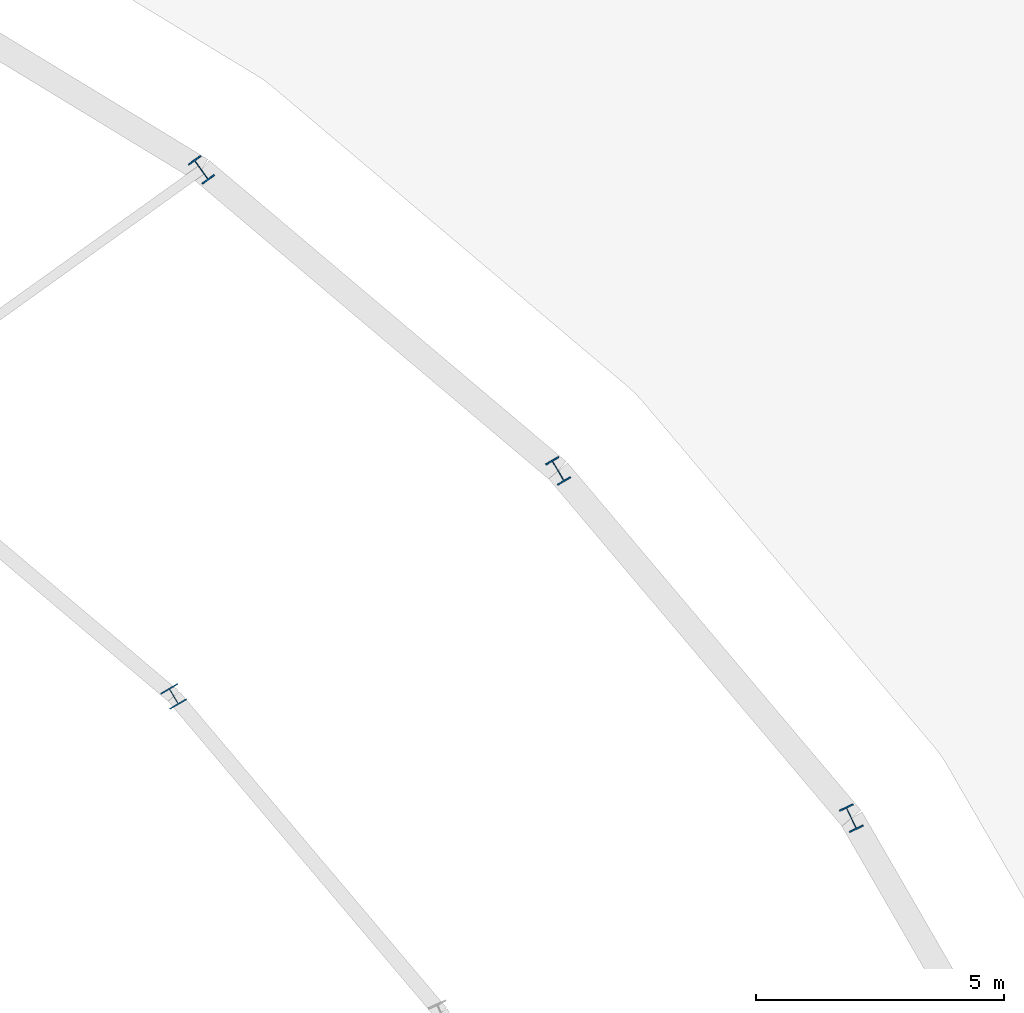
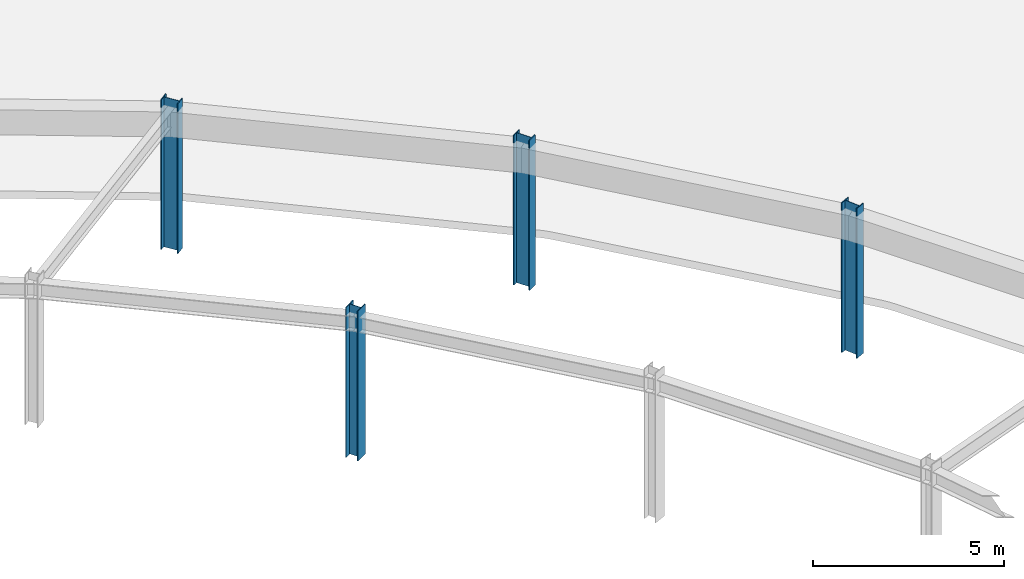
# One storey, part 13 of 45: 4 columns.
"""IFC4 building model written with IfcOpenShell, lengths in metres."""

from ifc_helpers import new_model, si_unit, direction, frame, origin, origin_2d, place, context, subcontext, project, spatial, i_section, extrude, material, material_profile, profile_set, type_object, element, save


model = new_model("IFC4")

# Units and contexts
model_context = context("Model", 3, precision=1e-05, world=origin(), true_north=direction((0.0, 1.0)))
body_context = subcontext(model_context, "Body", "Model", "MODEL_VIEW")
ifc_project = project(units=[si_unit("LENGTHUNIT", "METRE"), si_unit("AREAUNIT", "SQUARE_METRE"), si_unit("VOLUMEUNIT", "CUBIC_METRE"), si_unit("PLANEANGLEUNIT", "RADIAN"), si_unit("MASSUNIT", "GRAM", prefix="KILO")], contexts=[model_context])

# Site, building, storey
site_placement = place(None, origin())
site = spatial("IfcSite", under=ifc_project, at=site_placement, CompositionType="ELEMENT")
building_placement = place(site_placement, origin())
building = spatial("IfcBuilding", under=site, at=building_placement, Name="Mphavela Belvedere Stadium", CompositionType="ELEMENT")
storey_placement = place(building_placement, frame((0.0, 0.0, 24.0)))
storey = spatial("IfcBuildingStorey", under=building, at=storey_placement, Name="L05", CompositionType="ELEMENT", Elevation=24.0)

# Columns
ifc_material_1 = material(Name="Steel S355", Category="steel")
ifc_material_profile_1 = material_profile(ifc_material_1, i_section(OverallWidth=0.39501953125, OverallDepth=0.3798828125, WebThickness=0.0166015625, FlangeThickness=0.02587890625, at=origin_2d()), Name="HD 400x237")
ifc_profile_set_1 = profile_set([ifc_material_profile_1], Name="Steel S355")
column_type_1 = type_object("IfcColumnType", Name="COL-STEEL-HD400", PredefinedType="COLUMN", material=ifc_profile_set_1)
column_placement = place(storey_placement, frame((193.600341796875, 133.11376953125, 0.0), z_axis=(0.0, 0.0, 1.0), x_axis=(0.862513669207, 0.506033764121, 0.0)))
element("IfcColumn", 1, at=column_placement, inside=storey, type_object=column_type_1, Name="Main bowl column L05 R3-06", PredefinedType="COLUMN", context=body_context, shape_type="SweptSolid", body=[
    extrude(i_section(OverallWidth=0.39501953125, OverallDepth=0.3798828125, WebThickness=0.0166015625, FlangeThickness=0.02587890625, at=origin_2d()), origin(), (0.0, 0.0, 1.0), 4.800048828125),
])
ifc_material_2 = material(Name="Steel S355", Category="steel")
ifc_material_profile_2 = material_profile(ifc_material_2, i_section(OverallWidth=0.300048828125, OverallDepth=0.5, WebThickness=0.014404296875, FlangeThickness=0.028076171875, at=origin_2d()), Name="HEB 500")
ifc_profile_set_2 = profile_set([ifc_material_profile_2], Name="Steel S355")
column_type_2 = type_object("IfcColumnType", Name="COL-STEEL-HEB500", PredefinedType="COLUMN", material=ifc_profile_set_2)
for number, where, z_axis, x_axis, name in (
    (2, (207.242431640625, 130.66162109375, 0.0), (0.0, 0.0, 1.0), (0.903858661687, 0.4278311813, 0.0), "Outer colonnade column L05 R4-05"),
    (3, (201.33837890625, 137.653564453125, 0.0), (0.0, 0.0, 1.0), (0.862513669207, 0.506033764121, 0.0), "Outer colonnade column L05 R4-06"),
    (4, (194.155517578125, 143.714599609375, 0.0), (0.0, 0.0, 1.0), (0.812897512265, 0.582406760395, 0.0), "Outer colonnade column L05 R4-07"),
):
    element("IfcColumn", number, at=place(storey_placement, frame(where, z_axis=z_axis, x_axis=x_axis)), inside=storey, type_object=column_type_2, Name=name, PredefinedType="COLUMN", context=body_context, shape_type="SweptSolid", body=[
        extrude(i_section(OverallWidth=0.300048828125, OverallDepth=0.5, WebThickness=0.014404296875, FlangeThickness=0.028076171875, at=origin_2d()), origin(), (0.0, 0.0, 1.0), 4.800048828125),
    ])

save(model, "model.ifc")
